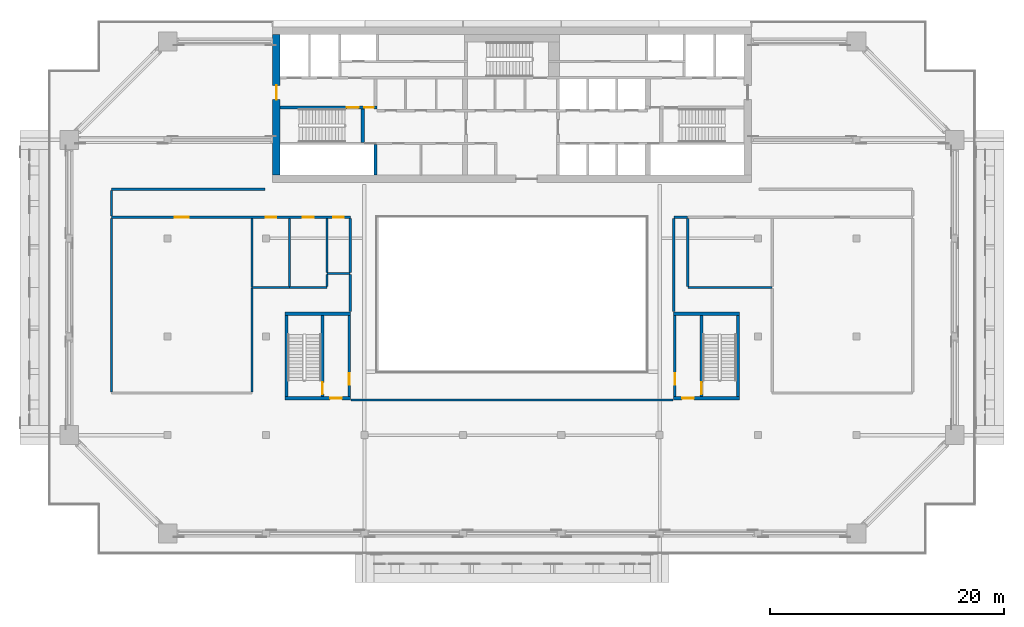
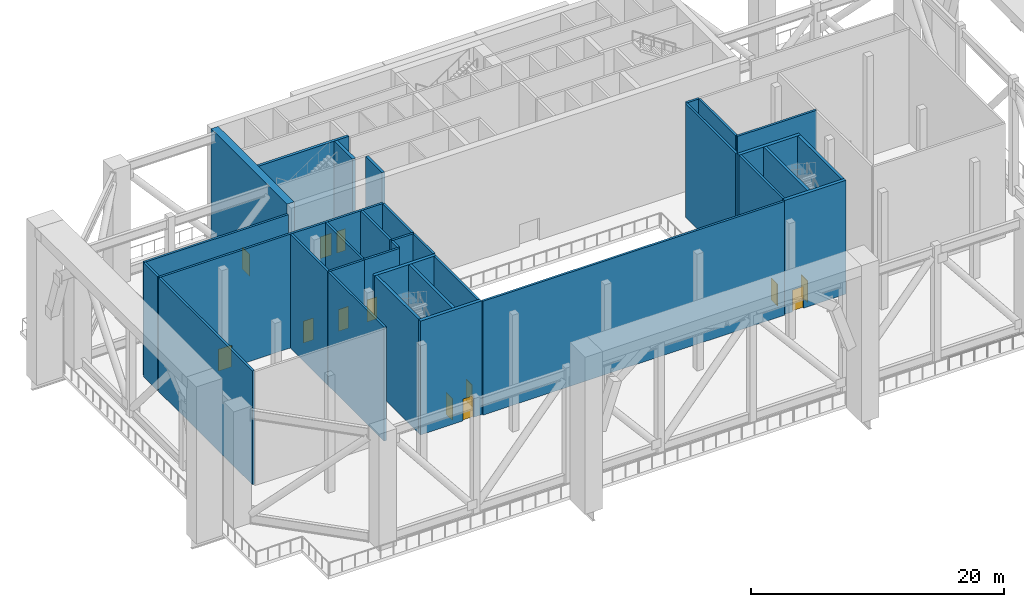
# One storey, part 4 of 19: 33 walls, 13 doors, 13 openings.
"""IFC4 building model written with IfcOpenShell, lengths in metres."""

import ifcopenshell
import ifcopenshell.guid

model = None  # the IFC model being written
_history = None  # IfcOwnerHistory: only IFC2X3 demands one
_inside = {}  # id of a spatial element -> (the spatial element, [elements in it])
_under = {}  # id of a project, library or spatial element -> (it, [spatial elements below it])
_declared = {}  # id of a project -> (the project, [libraries it declares])
_typed = {}  # id of a type object -> (the type object, [elements of that type])
_made_of = {}  # id of a material, layer set ... -> (it, [elements and type objects made of it])


def new_model(schema):
    """Start an empty IFC model of exactly this schema.

    Asked for "IFC4X3", IfcOpenShell would pick the latest addendum, in which some entities
    have other attributes; the version numbers below select the first issue.
    IFC2X3 requires an IfcOwnerHistory on every rooted entity: one is made here for all.
    """
    global model, _history
    if schema == "IFC4X3":
        model = ifcopenshell.file(schema_version=(4, 3, 0, 0))
    else:
        model = ifcopenshell.file(schema=schema)
    _inside.clear()
    _under.clear()
    _declared.clear()
    _typed.clear()
    _made_of.clear()
    _history = None
    if model.schema == "IFC2X3":
        org = make("IfcOrganization", Name="unknown")
        user = make(
            "IfcPersonAndOrganization",
            ThePerson=make("IfcPerson", FamilyName="unknown"),
            TheOrganization=org,
        )
        app = make(
            "IfcApplication",
            ApplicationDeveloper=org,
            Version="unknown",
            ApplicationFullName="unknown",
            ApplicationIdentifier="unknown",
        )
        _history = make(
            "IfcOwnerHistory",
            OwningUser=user,
            OwningApplication=app,
            ChangeAction="ADDED",
            CreationDate=0,
        )
    return model


def make(cls, **values):
    """One entity of the class cls with the attributes given. An attribute that is None is left unset."""
    return model.create_entity(
        cls, **{name: value for name, value in values.items() if value is not None}
    )


def rooted(cls, **values):
    """An entity with a GlobalId (a new one), such as an element, a storey or a relation."""
    return make(cls, GlobalId=ifcopenshell.guid.new(), OwnerHistory=_history, **values)


def si_unit(unit_type, name, prefix=None):
    """IfcSIUnit, for example si_unit("LENGTHUNIT", "METRE", prefix="MILLI")."""
    return make("IfcSIUnit", UnitType=unit_type, Prefix=prefix, Name=name)


def assignment(units):
    """IfcUnitAssignment: the units of a project."""
    return None if units is None else make("IfcUnitAssignment", Units=units)


def point(xyz):
    """IfcCartesianPoint."""
    return None if xyz is None else make("IfcCartesianPoint", Coordinates=xyz)


def direction(xyz):
    """IfcDirection."""
    return None if xyz is None else make("IfcDirection", DirectionRatios=xyz)


def frame(location, z_axis=None, x_axis=None):
    """IfcAxis2Placement3D, a coordinate frame: its origin and axes. An axis left out is left unset."""
    return make(
        "IfcAxis2Placement3D",
        Location=point(location),
        Axis=direction(z_axis),
        RefDirection=direction(x_axis),
    )


def frame_2d(location, x_axis=None):
    """IfcAxis2Placement2D, a coordinate frame in the plane: its origin and x axis."""
    return make(
        "IfcAxis2Placement2D", Location=point(location), RefDirection=direction(x_axis)
    )


def origin():
    """The frame at (0, 0, 0) with its axes left unset."""
    return frame((0.0, 0.0, 0.0))


def place(relative_to, where):
    """IfcLocalPlacement: puts the frame where relative to a parent placement (None: the world)."""
    return make(
        "IfcLocalPlacement", PlacementRelTo=relative_to, RelativePlacement=where
    )


def context(
    kind, dimensions, precision=None, world=None, true_north=None, identifier=None
):
    """IfcGeometricRepresentationContext, for example the 3D "Model" context."""
    return make(
        "IfcGeometricRepresentationContext",
        ContextIdentifier=identifier,
        ContextType=kind,
        CoordinateSpaceDimension=dimensions,
        Precision=precision,
        WorldCoordinateSystem=world,
        TrueNorth=true_north,
    )


def subcontext(parent, identifier, kind, view, scale=None):
    """IfcGeometricRepresentationSubContext, for example "Body" below "Model"."""
    return make(
        "IfcGeometricRepresentationSubContext",
        ContextIdentifier=identifier,
        ContextType=kind,
        ParentContext=parent,
        TargetScale=scale,
        TargetView=view,
    )


def project(units=None, contexts=None):
    """IfcProject with its units and contexts."""
    return rooted(
        "IfcProject",
        Name="project",
        RepresentationContexts=contexts,
        UnitsInContext=assignment(units),
    )


def spatial(cls, under=None, at=None, **own):
    """A site, building, storey or space (cls), placed at a placement, below another one or the project."""
    s = rooted(cls, ObjectPlacement=at, **own)
    if under is not None:
        _under.setdefault(under.id(), (under, []))[1].append(s)
    return s


def profile(cls, at=None, kind="AREA", **sizes):
    """A parametric profile (cls). Its sizes go by their IFC names, for example OverallWidth=200.0."""
    return make(cls, ProfileType=kind, Position=at, **sizes)


def rectangle(**sizes):
    """IfcRectangleProfileDef."""
    return profile("IfcRectangleProfileDef", **sizes)


def extrude(swept, where, along, depth):
    """IfcExtrudedAreaSolid: the profile swept, set in the frame where, extruded along a direction by depth."""
    return make(
        "IfcExtrudedAreaSolid",
        SweptArea=swept,
        Position=where,
        ExtrudedDirection=direction(along),
        Depth=depth,
    )


def shape(context_of_items, identifier, shape_type, items):
    """IfcShapeRepresentation: the items that make up one representation, for example the "Body"."""
    return make(
        "IfcShapeRepresentation",
        ContextOfItems=context_of_items,
        RepresentationIdentifier=identifier,
        RepresentationType=shape_type,
        Items=items,
    )


def material(Name=None, Category=None):
    """IfcMaterial."""
    return make("IfcMaterial", Name=Name, Category=Category)


def layer(
    of_material, thickness, ventilated=None, Name=None, Category=None, Priority=None
):
    """IfcMaterialLayer: one layer of a wall or slab, of a material (None: an air gap)."""
    return make(
        "IfcMaterialLayer",
        Material=of_material,
        LayerThickness=thickness,
        IsVentilated=ventilated,
        Name=Name,
        Category=Category,
        Priority=Priority,
    )


def layer_set(layers, Name=None):
    """IfcMaterialLayerSet."""
    return make("IfcMaterialLayerSet", MaterialLayers=layers, LayerSetName=Name)


def made_of(thing, what):
    """Note that an element or type object is made of a material, layer set ...; save() writes the relation."""
    if what is not None:
        _made_of.setdefault(what.id(), (what, []))[1].append(thing)
    return thing


def type_object(cls, material=None, **own):
    """A type object (cls), such as IfcWallType, which elements share."""
    return made_of(rooted(cls, **own), material)


def element(
    cls,
    number,
    at=None,
    inside=None,
    cuts=None,
    type_object=None,
    material=None,
    context=None,
    identifier="Body",
    shape_type=None,
    held_by="IfcProductDefinitionShape",
    body=None,
    shapes=None,
    **own,
):
    """One element of the class cls, such as IfcWall. Its Tag is "e" and its number.

    at: its placement. inside: the storey or other place that contains it. cuts: it is an
    opening in that element (IfcRelVoidsElement). A single representation is given by context,
    identifier, shape_type and body (its items); several are given by shapes. held_by: the class
    of the entity that holds the representations. save() writes the other relations.
    """
    e = rooted(cls, Tag="e%d" % number, ObjectPlacement=at, **own)
    if body is not None:
        shapes = [shape(context, identifier, shape_type, body)]
    if shapes is not None:
        e.Representation = make(held_by, Representations=shapes)
    if inside is not None:
        _inside.setdefault(inside.id(), (inside, []))[1].append(e)
    if cuts is not None:
        rooted(
            "IfcRelVoidsElement", RelatingBuildingElement=cuts, RelatedOpeningElement=e
        )
    if type_object is not None:
        _typed.setdefault(type_object.id(), (type_object, []))[1].append(e)
    return made_of(e, material)


def fill(opening, filler):
    """IfcRelFillsElement: the door or window that sits in an opening."""
    return rooted(
        "IfcRelFillsElement",
        RelatingOpeningElement=opening,
        RelatedBuildingElement=filler,
    )


def aggregate(whole, parts):
    """IfcRelAggregates: a whole, such as a stair, and the parts it consists of."""
    return rooted("IfcRelAggregates", RelatingObject=whole, RelatedObjects=parts)


def save(model, path):
    """Write the relations noted so far, then the file.

    IfcRelAggregates (storeys below a building ...), IfcRelContainedInSpatialStructure (elements
    in a storey), IfcRelDefinesByType, IfcRelAssociatesMaterial and IfcRelDeclares: one each for
    every whole, place, type object, material and project.
    """
    for whole, parts in _under.values():
        aggregate(whole, parts)
    for where, things in _inside.values():
        rooted(
            "IfcRelContainedInSpatialStructure",
            RelatedElements=things,
            RelatingStructure=where,
        )
    for kind, things in _typed.values():
        rooted("IfcRelDefinesByType", RelatedObjects=things, RelatingType=kind)
    for what, things in _made_of.values():
        rooted("IfcRelAssociatesMaterial", RelatedObjects=things, RelatingMaterial=what)
    for by, libraries in _declared.values():
        rooted("IfcRelDeclares", RelatingContext=by, RelatedDefinitions=libraries)
    model.write(path)


model = new_model("IFC4")

# Units and contexts
model_context = context("Model", 3, precision=1e-05, world=origin(), true_north=direction((0.0, 1.0)))
body_context = subcontext(model_context, "Body", "Model", "MODEL_VIEW")
ifc_project = project(units=[si_unit("LENGTHUNIT", "METRE"), si_unit("AREAUNIT", "SQUARE_METRE"), si_unit("VOLUMEUNIT", "CUBIC_METRE"), si_unit("PLANEANGLEUNIT", "RADIAN"), si_unit("MASSUNIT", "GRAM", prefix="KILO")], contexts=[model_context])

# Site, building, storey
site_placement = place(None, origin())
site = spatial("IfcSite", under=ifc_project, at=site_placement, CompositionType="ELEMENT")
building_placement = place(site_placement, origin())
building = spatial("IfcBuilding", under=site, at=building_placement, Name="Saffron Gate Tower", CompositionType="ELEMENT")
storey_placement = place(building_placement, frame((0.0, 0.0, 194.25)))
storey = spatial("IfcBuildingStorey", under=building, at=storey_placement, Name="L48", CompositionType="ELEMENT", Elevation=194.25)

# Wall, opening, door
ifc_material_1 = material(Name="Gypsum board partition on steel studs", Category="steel")
ifc_layer_1 = layer(ifc_material_1, 0.199951171875)
ifc_layer_set_1 = layer_set([ifc_layer_1], Name="CW10 Core partition 200")
wall_type_1 = type_object("IfcWallType", Name="CW10 Core partition 200", PredefinedType="PARTITIONING", material=ifc_layer_set_1)
wall_1_placement = place(storey_placement, frame((73.699951171875, 43.5, 0.0), z_axis=(0.0, 0.0, 1.0), x_axis=(0.0, 1.0, 0.0)))
wall_1 = element("IfcWall", 1, at=wall_1_placement, inside=storey, type_object=wall_type_1, Name="Wall CW10-L48-D-4", PredefinedType="PARTITIONING", context=body_context, shape_type="SweptSolid", body=[
    extrude(rectangle(XDim=6.89990234375, YDim=0.199951171875, at=frame_2d((3.449951171875, 0.0))), origin(), (0.0, 0.0, 1.0), 10.969970703125),
])
opening_1_placement = place(wall_1_placement, frame((1.0, 0.0, 0.0)))
opening_1 = element("IfcOpeningElement", 2, at=opening_1_placement, cuts=wall_1, Name="Opening CR-19", PredefinedType="OPENING", context=body_context, shape_type="SweptSolid", body=[
    extrude(rectangle(XDim=1.0, YDim=2.10009765625, at=frame_2d((0.5, 1.050048828125))), frame((0.0, 0.10986328125, 0.0), z_axis=(0.0, -1.0, 0.0), x_axis=(1.0, 0.0, 0.0)), (0.0, 0.0, 1.0), 0.219970703125),
])
ifc_material_2 = material(Name="Steel fire door set", Category="steel")
door_type_1 = type_object("IfcDoorType", Name="CD4 Lobby door 1000x2100 EI 120", OperationType="NOTDEFINED", PredefinedType="DOOR", material=ifc_material_2)
door_1_placement = place(opening_1_placement, origin())
door_1 = element("IfcDoor", 3, at=door_1_placement, inside=storey, type_object=door_type_1, Name="DOOR CR-19", OperationType="SINGLE_SWING_RIGHT", OverallHeight=2.10009765625, OverallWidth=1.0, PredefinedType="DOOR", context=body_context, shape_type="SweptSolid", body=[
    extrude(rectangle(XDim=1.0, YDim=2.10009765625, at=frame_2d((0.5, 1.050048828125))), frame((0.0, 0.02490234375, 0.0), z_axis=(0.0, -1.0, 0.0), x_axis=(1.0, 0.0, 0.0)), (0.0, 0.0, 1.0), 0.050048828125),
])
fill(opening_1, door_1)

wall_2_placement = place(storey_placement, frame((101.5, 43.5, 0.0), z_axis=(0.0, 0.0, 1.0), x_axis=(0.0, 1.0, 0.0)))
wall_2 = element("IfcWall", 4, at=wall_2_placement, inside=storey, type_object=wall_type_1, Name="Wall CW10-L48-E-2", PredefinedType="PARTITIONING", context=body_context, shape_type="SweptSolid", body=[
    extrude(rectangle(XDim=6.89990234375, YDim=0.199951171875, at=frame_2d((3.449951171875, 0.0))), origin(), (0.0, 0.0, 1.0), 10.969970703125),
])
opening_2_placement = place(wall_2_placement, frame((1.0, 0.0, 0.0)))
opening_2 = element("IfcOpeningElement", 5, at=opening_2_placement, cuts=wall_2, Name="Opening CR-22", PredefinedType="OPENING", context=body_context, shape_type="SweptSolid", body=[
    extrude(rectangle(XDim=1.0, YDim=2.10009765625, at=frame_2d((0.5, 1.050048828125))), frame((0.0, 0.10986328125, 0.0), z_axis=(0.0, -1.0, 0.0), x_axis=(1.0, 0.0, 0.0)), (0.0, 0.0, 1.0), 0.219970703125),
])
door_2_placement = place(opening_2_placement, origin())
door_2 = element("IfcDoor", 6, at=door_2_placement, inside=storey, type_object=door_type_1, Name="DOOR CR-22", OperationType="SINGLE_SWING_LEFT", OverallHeight=2.10009765625, OverallWidth=1.0, PredefinedType="DOOR", context=body_context, shape_type="SweptSolid", body=[
    extrude(rectangle(XDim=1.0, YDim=2.10009765625, at=frame_2d((0.5, 1.050048828125))), frame((0.0, 0.02490234375, 0.0), z_axis=(0.0, -1.0, 0.0), x_axis=(1.0, 0.0, 0.0)), (0.0, 0.0, 1.0), 0.050048828125),
])
fill(opening_2, door_2)

# Wall
ifc_material_3 = material(Name="Concrete C60", Category="concrete")
ifc_layer_2 = layer(ifc_material_3, 0.25)
ifc_layer_set_2 = layer_set([ifc_layer_2], Name="CW14 RC core wall 250 C60")
wall_type_2 = type_object("IfcWallType", Name="CW14 RC core wall 250 C60", PredefinedType="SOLIDWALL", material=ifc_layer_set_2)
wall_3_placement = place(storey_placement, frame((75.925048828125, 62.39990234375, 0.0), z_axis=(0.0, 0.0, 1.0), x_axis=(0.0, 1.0, 0.0)))
element("IfcWall", 7, at=wall_3_placement, inside=storey, type_object=wall_type_2, Name="Wall CW14-L48-5", PredefinedType="SOLIDWALL", context=body_context, shape_type="SweptSolid", body=[
    extrude(rectangle(XDim=2.60009765625, YDim=0.25, at=frame_2d((1.300048828125, 0.0))), origin(), (0.0, 0.0, 1.0), 10.969970703125),
])

# Wall, openings, doors
wall_4_placement = place(storey_placement, frame((67.800048828125, 68.175048828125, 0.0), z_axis=(0.0, 0.0, 1.0), x_axis=(1.0, 0.0, 0.0)))
wall_4 = element("IfcWall", 8, at=wall_4_placement, inside=storey, type_object=wall_type_2, Name="Wall CW14-L48-29", PredefinedType="SOLIDWALL", context=body_context, shape_type="SweptSolid", body=[
    extrude(rectangle(XDim=8.25, YDim=0.25, at=frame_2d((4.125, 0.0))), origin(), (0.0, 0.0, 1.0), 10.969970703125),
])
opening_3_placement = place(wall_4_placement, frame((5.699951171875, 0.0, 0.0)))
opening_3 = element("IfcOpeningElement", 9, at=opening_3_placement, cuts=wall_4, Name="Opening CR-15", PredefinedType="OPENING", context=body_context, shape_type="SweptSolid", body=[
    extrude(rectangle(XDim=1.0, YDim=2.10009765625, at=frame_2d((0.5, 1.050048828125))), frame((0.0, 0.135009765625, 0.0), z_axis=(0.0, -1.0, 0.0), x_axis=(1.0, 0.0, 0.0)), (0.0, 0.0, 1.0), 0.27001953125),
])
opening_4_placement = place(wall_4_placement, frame((7.199951171875, 0.0, 0.0)))
opening_4 = element("IfcOpeningElement", 10, at=opening_4_placement, cuts=wall_4, Name="Opening CR-06", PredefinedType="OPENING", context=body_context, shape_type="SweptSolid", body=[
    extrude(rectangle(XDim=0.800048828125, YDim=2.10009765625, at=frame_2d((0.39990234375, 1.050048828125))), frame((0.0, 0.135009765625, 0.0), z_axis=(0.0, -1.0, 0.0), x_axis=(1.0, 0.0, 0.0)), (0.0, 0.0, 1.0), 0.27001953125),
])
door_type_2 = type_object("IfcDoorType", Name="CD5 Stair door 1000x2100 EI 120", OperationType="NOTDEFINED", PredefinedType="DOOR", material=ifc_material_2)
door_3_placement = place(opening_3_placement, origin())
door_3 = element("IfcDoor", 11, at=door_3_placement, inside=storey, type_object=door_type_2, Name="DOOR CR-15", OperationType="SINGLE_SWING_RIGHT", OverallHeight=2.10009765625, OverallWidth=1.0, PredefinedType="DOOR", context=body_context, shape_type="SweptSolid", body=[
    extrude(rectangle(XDim=1.0, YDim=2.10009765625, at=frame_2d((0.5, 1.050048828125))), frame((0.0, 0.02490234375, 0.0), z_axis=(0.0, -1.0, 0.0), x_axis=(1.0, 0.0, 0.0)), (0.0, 0.0, 1.0), 0.050048828125),
])
fill(opening_3, door_3)
door_type_3 = type_object("IfcDoorType", Name="CD6 Lobby door 800x2100 EI 120", OperationType="NOTDEFINED", PredefinedType="DOOR", material=ifc_material_2)
door_4_placement = place(opening_4_placement, origin())
door_4 = element("IfcDoor", 12, at=door_4_placement, inside=storey, type_object=door_type_3, Name="DOOR CR-06", OperationType="SINGLE_SWING_LEFT", OverallHeight=2.10009765625, OverallWidth=0.800048828125, PredefinedType="DOOR", context=body_context, shape_type="SweptSolid", body=[
    extrude(rectangle(XDim=0.800048828125, YDim=2.10009765625, at=frame_2d((0.39990234375, 1.050048828125))), frame((0.0, 0.02490234375, 0.0), z_axis=(0.0, -1.0, 0.0), x_axis=(1.0, 0.0, 0.0)), (0.0, 0.0, 1.0), 0.050048828125),
])
fill(opening_4, door_4)

# Wall
wall_5_placement = place(storey_placement, frame((68.324951171875, 43.5, 0.0), z_axis=(0.0, 0.0, 1.0), x_axis=(0.0, 1.0, 0.0)))
element("IfcWall", 13, at=wall_5_placement, inside=storey, type_object=wall_type_2, Name="Wall CW14-L48-D-2", PredefinedType="SOLIDWALL", context=body_context, shape_type="SweptSolid", body=[
    extrude(rectangle(XDim=6.89990234375, YDim=0.25, at=frame_2d((3.449951171875, 0.0))), origin(), (0.0, 0.0, 1.0), 10.969970703125),
])

# Wall, opening, door
wall_6_placement = place(storey_placement, frame((71.425048828125, 43.5, 0.0), z_axis=(0.0, 0.0, 1.0), x_axis=(0.0, 1.0, 0.0)))
wall_6 = element("IfcWall", 14, at=wall_6_placement, inside=storey, type_object=wall_type_2, Name="Wall CW14-L48-D-3", PredefinedType="SOLIDWALL", context=body_context, shape_type="SweptSolid", body=[
    extrude(rectangle(XDim=6.89990234375, YDim=0.25, at=frame_2d((3.449951171875, 0.0))), origin(), (0.0, 0.0, 1.0), 10.969970703125),
])
opening_5_placement = place(wall_6_placement, frame((0.199951171875, 0.0, 0.0)))
opening_5 = element("IfcOpeningElement", 15, at=opening_5_placement, cuts=wall_6, Name="Opening CR-20", PredefinedType="OPENING", context=body_context, shape_type="SweptSolid", body=[
    extrude(rectangle(XDim=1.0, YDim=2.10009765625, at=frame_2d((0.5, 1.050048828125))), frame((0.0, 0.135009765625, 0.0), z_axis=(0.0, -1.0, 0.0), x_axis=(1.0, 0.0, 0.0)), (0.0, 0.0, 1.0), 0.27001953125),
])
door_5_placement = place(opening_5_placement, origin())
door_5 = element("IfcDoor", 16, at=door_5_placement, inside=storey, type_object=door_type_2, Name="DOOR CR-20", OperationType="SINGLE_SWING_LEFT", OverallHeight=2.10009765625, OverallWidth=1.0, PredefinedType="DOOR", context=body_context, shape_type="SweptSolid", body=[
    extrude(rectangle(XDim=1.0, YDim=2.10009765625, at=frame_2d((0.5, 1.050048828125))), frame((0.0, 0.02490234375, 0.0), z_axis=(0.0, -1.0, 0.0), x_axis=(1.0, 0.0, 0.0)), (0.0, 0.0, 1.0), 0.050048828125),
])
fill(opening_5, door_5)

wall_7_placement = place(storey_placement, frame((103.77490234375, 43.5, 0.0), z_axis=(0.0, 0.0, 1.0), x_axis=(0.0, 1.0, 0.0)))
wall_7 = element("IfcWall", 17, at=wall_7_placement, inside=storey, type_object=wall_type_2, Name="Wall CW14-L48-E-3", PredefinedType="SOLIDWALL", context=body_context, shape_type="SweptSolid", body=[
    extrude(rectangle(XDim=6.89990234375, YDim=0.25, at=frame_2d((3.449951171875, 0.0))), origin(), (0.0, 0.0, 1.0), 10.969970703125),
])
opening_6_placement = place(wall_7_placement, frame((0.199951171875, 0.0, 0.0)))
opening_6 = element("IfcOpeningElement", 18, at=opening_6_placement, cuts=wall_7, Name="Opening CR-23", PredefinedType="OPENING", context=body_context, shape_type="SweptSolid", body=[
    extrude(rectangle(XDim=1.0, YDim=2.10009765625, at=frame_2d((0.5, 1.050048828125))), frame((0.0, 0.135009765625, 0.0), z_axis=(0.0, -1.0, 0.0), x_axis=(1.0, 0.0, 0.0)), (0.0, 0.0, 1.0), 0.27001953125),
])
door_6_placement = place(opening_6_placement, origin())
door_6 = element("IfcDoor", 19, at=door_6_placement, inside=storey, type_object=door_type_2, Name="DOOR CR-23", OperationType="SINGLE_SWING_RIGHT", OverallHeight=2.10009765625, OverallWidth=1.0, PredefinedType="DOOR", context=body_context, shape_type="SweptSolid", body=[
    extrude(rectangle(XDim=1.0, YDim=2.10009765625, at=frame_2d((0.5, 1.050048828125))), frame((0.0, 0.02490234375, 0.0), z_axis=(0.0, -1.0, 0.0), x_axis=(1.0, 0.0, 0.0)), (0.0, 0.0, 1.0), 0.050048828125),
])
fill(opening_6, door_6)

# Walls
wall_8_placement = place(storey_placement, frame((106.875, 43.5, 0.0), z_axis=(0.0, 0.0, 1.0), x_axis=(0.0, 1.0, 0.0)))
element("IfcWall", 20, at=wall_8_placement, inside=storey, type_object=wall_type_2, Name="Wall CW14-L48-E-4", PredefinedType="SOLIDWALL", context=body_context, shape_type="SweptSolid", body=[
    extrude(rectangle(XDim=6.89990234375, YDim=0.25, at=frame_2d((3.449951171875, 0.0))), origin(), (0.0, 0.0, 1.0), 10.969970703125),
])
ifc_layer_3 = layer(ifc_material_3, 0.300048828125)
ifc_layer_set_3 = layer_set([ifc_layer_3], Name="CW17 RC core wall 300 C60")
wall_type_3 = type_object("IfcWallType", Name="CW17 RC core wall 300 C60", PredefinedType="SOLIDWALL", material=ifc_layer_set_3)
wall_9_placement = place(storey_placement, frame((74.85009765625, 65.199951171875, 0.0), z_axis=(0.0, 0.0, 1.0), x_axis=(0.0, 1.0, 0.0)))
element("IfcWall", 21, at=wall_9_placement, inside=storey, type_object=wall_type_3, Name="Wall CW17-L48-15", PredefinedType="SOLIDWALL", context=body_context, shape_type="SweptSolid", body=[
    extrude(rectangle(XDim=2.85009765625, YDim=0.300048828125, at=frame_2d((1.425048828125, 0.0))), origin(), (0.0, 0.0, 1.0), 10.969970703125),
])

# Wall, opening, door
wall_10_placement = place(storey_placement, frame((68.199951171875, 43.35009765625, 0.0), z_axis=(0.0, 0.0, 1.0), x_axis=(1.0, 0.0, 0.0)))
wall_10 = element("IfcWall", 22, at=wall_10_placement, inside=storey, type_object=wall_type_3, Name="Wall CW17-L48-D-1", PredefinedType="SOLIDWALL", context=body_context, shape_type="SweptSolid", body=[
    extrude(rectangle(XDim=5.60009765625, YDim=0.300048828125, at=frame_2d((2.800048828125, 0.0))), origin(), (0.0, 0.0, 1.0), 10.969970703125),
])
opening_7_placement = place(wall_10_placement, frame((3.875, 0.0, 0.0)))
opening_7 = element("IfcOpeningElement", 23, at=opening_7_placement, cuts=wall_10, Name="Opening CR-18", PredefinedType="OPENING", context=body_context, shape_type="SweptSolid", body=[
    extrude(rectangle(XDim=1.0, YDim=2.10009765625, at=frame_2d((0.5, 1.050048828125))), frame((0.0, 0.16015625, 0.0), z_axis=(0.0, -1.0, 0.0), x_axis=(1.0, 0.0, 0.0)), (0.0, 0.0, 1.0), 0.320068359375),
])
door_7_placement = place(opening_7_placement, origin())
door_7 = element("IfcDoor", 24, at=door_7_placement, inside=storey, type_object=door_type_1, Name="DOOR CR-18", OperationType="SINGLE_SWING_RIGHT", OverallHeight=2.10009765625, OverallWidth=1.0, PredefinedType="DOOR", context=body_context, shape_type="SweptSolid", body=[
    extrude(rectangle(XDim=1.0, YDim=2.10009765625, at=frame_2d((0.5, 1.050048828125))), frame((0.0, 0.02490234375, 0.0), z_axis=(0.0, -1.0, 0.0), x_axis=(1.0, 0.0, 0.0)), (0.0, 0.0, 1.0), 0.050048828125),
])
fill(opening_7, door_7)

# Wall
wall_11_placement = place(storey_placement, frame((68.199951171875, 50.550048828125, 0.0), z_axis=(0.0, 0.0, 1.0), x_axis=(1.0, 0.0, 0.0)))
element("IfcWall", 25, at=wall_11_placement, inside=storey, type_object=wall_type_3, Name="Wall CW17-L48-D-5", PredefinedType="SOLIDWALL", context=body_context, shape_type="SweptSolid", body=[
    extrude(rectangle(XDim=5.60009765625, YDim=0.300048828125, at=frame_2d((2.800048828125, 0.0))), origin(), (0.0, 0.0, 1.0), 10.969970703125),
])

# Wall, opening, door
wall_12_placement = place(storey_placement, frame((101.39990234375, 43.35009765625, 0.0), z_axis=(0.0, 0.0, 1.0), x_axis=(1.0, 0.0, 0.0)))
wall_12 = element("IfcWall", 26, at=wall_12_placement, inside=storey, type_object=wall_type_3, Name="Wall CW17-L48-E-1", PredefinedType="SOLIDWALL", context=body_context, shape_type="SweptSolid", body=[
    extrude(rectangle(XDim=5.60009765625, YDim=0.300048828125, at=frame_2d((2.800048828125, 0.0))), origin(), (0.0, 0.0, 1.0), 10.969970703125),
])
opening_8_placement = place(wall_12_placement, frame((0.72509765625, 0.0, 0.0)))
opening_8 = element("IfcOpeningElement", 27, at=opening_8_placement, cuts=wall_12, Name="Opening CR-21", PredefinedType="OPENING", context=body_context, shape_type="SweptSolid", body=[
    extrude(rectangle(XDim=1.0, YDim=2.10009765625, at=frame_2d((0.5, 1.050048828125))), frame((0.0, 0.16015625, 0.0), z_axis=(0.0, -1.0, 0.0), x_axis=(1.0, 0.0, 0.0)), (0.0, 0.0, 1.0), 0.320068359375),
])
door_8_placement = place(opening_8_placement, origin())
door_8 = element("IfcDoor", 28, at=door_8_placement, inside=storey, type_object=door_type_1, Name="DOOR CR-21", OperationType="SINGLE_SWING_RIGHT", OverallHeight=2.10009765625, OverallWidth=1.0, PredefinedType="DOOR", context=body_context, shape_type="SweptSolid", body=[
    extrude(rectangle(XDim=1.0, YDim=2.10009765625, at=frame_2d((0.5, 1.050048828125))), frame((0.0, 0.02490234375, 0.0), z_axis=(0.0, -1.0, 0.0), x_axis=(1.0, 0.0, 0.0)), (0.0, 0.0, 1.0), 0.050048828125),
])
fill(opening_8, door_8)

# Wall
wall_13_placement = place(storey_placement, frame((101.39990234375, 50.550048828125, 0.0), z_axis=(0.0, 0.0, 1.0), x_axis=(1.0, 0.0, 0.0)))
element("IfcWall", 29, at=wall_13_placement, inside=storey, type_object=wall_type_3, Name="Wall CW17-L48-E-5", PredefinedType="SOLIDWALL", context=body_context, shape_type="SweptSolid", body=[
    extrude(rectangle(XDim=5.60009765625, YDim=0.300048828125, at=frame_2d((2.800048828125, 0.0))), origin(), (0.0, 0.0, 1.0), 10.969970703125),
])

# Wall, opening, door
ifc_layer_4 = layer(ifc_material_3, 0.64990234375)
ifc_layer_set_4 = layer_set([ifc_layer_4], Name="CW20 RC core wall 650 C60")
wall_type_4 = type_object("IfcWallType", Name="CW20 RC core wall 650 C60", PredefinedType="SOLIDWALL", material=ifc_layer_set_4)
wall_14_placement = place(storey_placement, frame((67.47509765625, 62.39990234375, 0.0), z_axis=(0.0, 0.0, 1.0), x_axis=(0.0, 1.0, 0.0)))
wall_14 = element("IfcWall", 30, at=wall_14_placement, inside=storey, type_object=wall_type_4, Name="Wall CW20-L48-3", PredefinedType="SOLIDWALL", context=body_context, shape_type="SweptSolid", body=[
    extrude(rectangle(XDim=12.0, YDim=0.64990234375, at=frame_2d((6.0, 0.0))), origin(), (0.0, 0.0, 1.0), 10.969970703125),
])
opening_9_placement = place(wall_14_placement, frame((6.449951171875, 0.0, 0.0)))
opening_9 = element("IfcOpeningElement", 31, at=opening_9_placement, cuts=wall_14, Name="Opening CR-10", PredefinedType="OPENING", context=body_context, shape_type="SweptSolid", body=[
    extrude(rectangle(XDim=1.199951171875, YDim=2.10009765625, at=frame_2d((0.60009765625, 1.050048828125))), frame((0.0, 0.3349609375, 0.0), z_axis=(0.0, -1.0, 0.0), x_axis=(1.0, 0.0, 0.0)), (0.0, 0.0, 1.0), 0.669921875),
])
door_type_4 = type_object("IfcDoorType", Name="CD7 Core entrance door 1200x2100 EI 120", OperationType="NOTDEFINED", PredefinedType="DOOR", material=ifc_material_2)
door_9_placement = place(opening_9_placement, origin())
door_9 = element("IfcDoor", 32, at=door_9_placement, inside=storey, type_object=door_type_4, Name="DOOR CR-10", OperationType="SINGLE_SWING_LEFT", OverallHeight=2.10009765625, OverallWidth=1.199951171875, PredefinedType="DOOR", context=body_context, shape_type="SweptSolid", body=[
    extrude(rectangle(XDim=1.199951171875, YDim=2.10009765625, at=frame_2d((0.60009765625, 1.050048828125))), frame((0.0, 0.02490234375, 0.0), z_axis=(0.0, -1.0, 0.0), x_axis=(1.0, 0.0, 0.0)), (0.0, 0.0, 1.0), 0.050048828125),
])
fill(opening_9, door_9)

# Walls
ifc_material_4 = material(Name="Clay brick masonry, rendered", Category="masonry")
ifc_layer_5 = layer(ifc_material_4, 0.199951171875)
ifc_layer_set_5 = layer_set([ifc_layer_5], Name="PW2 Demising wall 200")
wall_type_5 = type_object("IfcWallType", Name="PW2 Demising wall 200", PredefinedType="PARTITIONING", material=ifc_layer_set_5)
wall_15_placement = place(storey_placement, frame((68.60009765625, 58.699951171875, 0.0), z_axis=(0.0, 0.0, 1.0), x_axis=(0.0, -1.0, 0.0)))
element("IfcWall", 33, at=wall_15_placement, inside=storey, type_object=wall_type_5, Name="Wall X2-17", PredefinedType="PARTITIONING", context=body_context, shape_type="SweptSolid", body=[
    extrude(rectangle(XDim=5.800048828125, YDim=0.199951171875, at=frame_2d((2.89990234375, 0.0))), origin(), (0.0, 0.0, 1.0), 10.969970703125),
])
wall_16_placement = place(storey_placement, frame((71.800048828125, 58.699951171875, 0.0), z_axis=(0.0, 0.0, 1.0), x_axis=(0.0, -1.0, 0.0)))
element("IfcWall", 34, at=wall_16_placement, inside=storey, type_object=wall_type_5, Name="Wall X2-18", PredefinedType="PARTITIONING", context=body_context, shape_type="SweptSolid", body=[
    extrude(rectangle(XDim=4.599853515625, YDim=0.199951171875, at=frame_2d((2.2998046875, 0.0))), origin(), (0.0, 0.0, 1.0), 10.969970703125),
])

# Wall, openings, doors
ifc_layer_6 = layer(ifc_material_4, 0.199951171875)
ifc_layer_set_6 = layer_set([ifc_layer_6], Name="PW3 Corridor wall 200")
wall_type_6 = type_object("IfcWallType", Name="PW3 Corridor wall 200", PredefinedType="PARTITIONING", material=ifc_layer_set_6)
wall_17_placement = place(storey_placement, frame((73.800048828125, 58.800048828125, 0.0), z_axis=(0.0, 0.0, 1.0), x_axis=(-1.0, 0.0, 0.0)))
wall_17 = element("IfcWall", 35, at=wall_17_placement, inside=storey, type_object=wall_type_6, Name="Wall X2-8", PredefinedType="PARTITIONING", context=body_context, shape_type="SweptSolid", body=[
    extrude(rectangle(XDim=20.400146484375, YDim=0.199951171875, at=frame_2d((10.2001953125, 0.0))), origin(), (0.0, 0.0, 1.0), 10.969970703125),
])
opening_10_placement = place(wall_17_placement, frame((0.550048828125, 0.0, 0.0)))
opening_10 = element("IfcOpeningElement", 36, at=opening_10_placement, cuts=wall_17, Name="Opening X2-2", PredefinedType="OPENING", context=body_context, shape_type="SweptSolid", body=[
    extrude(rectangle(XDim=0.89990234375, YDim=2.10009765625, at=frame_2d((0.449951171875, 1.050048828125))), frame((0.0, 0.10986328125, 0.0), z_axis=(0.0, -1.0, 0.0), x_axis=(1.0, 0.0, 0.0)), (0.0, 0.0, 1.0), 0.219970703125),
])
opening_11_placement = place(wall_17_placement, frame((3.14990234375, 0.0, 0.0)))
opening_11 = element("IfcOpeningElement", 37, at=opening_11_placement, cuts=wall_17, Name="Opening X2-3", PredefinedType="OPENING", context=body_context, shape_type="SweptSolid", body=[
    extrude(rectangle(XDim=0.89990234375, YDim=2.10009765625, at=frame_2d((0.449951171875, 1.050048828125))), frame((0.0, 0.10986328125, 0.0), z_axis=(0.0, -1.0, 0.0), x_axis=(1.0, 0.0, 0.0)), (0.0, 0.0, 1.0), 0.219970703125),
])
opening_12_placement = place(wall_17_placement, frame((6.35009765625, 0.0, 0.0)))
opening_12 = element("IfcOpeningElement", 38, at=opening_12_placement, cuts=wall_17, Name="Opening X2-4", PredefinedType="OPENING", context=body_context, shape_type="SweptSolid", body=[
    extrude(rectangle(XDim=0.89990234375, YDim=2.10009765625, at=frame_2d((0.449951171875, 1.050048828125))), frame((0.0, 0.10986328125, 0.0), z_axis=(0.0, -1.0, 0.0), x_axis=(1.0, 0.0, 0.0)), (0.0, 0.0, 1.0), 0.219970703125),
])
opening_13_placement = place(wall_17_placement, frame((13.800048828125, 0.0, 0.0)))
opening_13 = element("IfcOpeningElement", 39, at=opening_13_placement, cuts=wall_17, Name="Opening X2-6", PredefinedType="OPENING", context=body_context, shape_type="SweptSolid", body=[
    extrude(rectangle(XDim=1.199951171875, YDim=2.10009765625, at=frame_2d((0.60009765625, 1.050048828125))), frame((0.0, 0.10986328125, 0.0), z_axis=(0.0, -1.0, 0.0), x_axis=(1.0, 0.0, 0.0)), (0.0, 0.0, 1.0), 0.219970703125),
])
ifc_material_5 = material(Name="Timber door set", Category="wood")
door_type_5 = type_object("IfcDoorType", Name="HD1 Hall door 1200x2100", OperationType="NOTDEFINED", PredefinedType="DOOR", material=ifc_material_5)
door_10_placement = place(opening_13_placement, origin())
door_10 = element("IfcDoor", 40, at=door_10_placement, inside=storey, type_object=door_type_5, Name="Door X2-6", OperationType="SINGLE_SWING_RIGHT", OverallHeight=2.10009765625, OverallWidth=1.199951171875, PredefinedType="DOOR", context=body_context, shape_type="SweptSolid", body=[
    extrude(rectangle(XDim=1.199951171875, YDim=2.10009765625, at=frame_2d((0.60009765625, 1.050048828125))), frame((0.0, 0.02490234375, 0.0), z_axis=(0.0, -1.0, 0.0), x_axis=(1.0, 0.0, 0.0)), (0.0, 0.0, 1.0), 0.050048828125),
])
fill(opening_13, door_10)
door_type_6 = type_object("IfcDoorType", Name="RD1 Room door 900x2100", OperationType="NOTDEFINED", PredefinedType="DOOR", material=ifc_material_5)
door_11_placement = place(opening_10_placement, origin())
door_11 = element("IfcDoor", 41, at=door_11_placement, inside=storey, type_object=door_type_6, Name="Door X2-2", OperationType="SINGLE_SWING_RIGHT", OverallHeight=2.10009765625, OverallWidth=0.89990234375, PredefinedType="DOOR", context=body_context, shape_type="SweptSolid", body=[
    extrude(rectangle(XDim=0.89990234375, YDim=2.10009765625, at=frame_2d((0.449951171875, 1.050048828125))), frame((0.0, 0.02490234375, 0.0), z_axis=(0.0, -1.0, 0.0), x_axis=(1.0, 0.0, 0.0)), (0.0, 0.0, 1.0), 0.050048828125),
])
fill(opening_10, door_11)
door_12_placement = place(opening_11_placement, origin())
door_12 = element("IfcDoor", 42, at=door_12_placement, inside=storey, type_object=door_type_6, Name="Door X2-3", OperationType="SINGLE_SWING_LEFT", OverallHeight=2.10009765625, OverallWidth=0.89990234375, PredefinedType="DOOR", context=body_context, shape_type="SweptSolid", body=[
    extrude(rectangle(XDim=0.89990234375, YDim=2.10009765625, at=frame_2d((0.449951171875, 1.050048828125))), frame((0.0, 0.02490234375, 0.0), z_axis=(0.0, -1.0, 0.0), x_axis=(1.0, 0.0, 0.0)), (0.0, 0.0, 1.0), 0.050048828125),
])
fill(opening_11, door_12)
door_13_placement = place(opening_12_placement, origin())
door_13 = element("IfcDoor", 43, at=door_13_placement, inside=storey, type_object=door_type_6, Name="Door X2-4", OperationType="SINGLE_SWING_RIGHT", OverallHeight=2.10009765625, OverallWidth=0.89990234375, PredefinedType="DOOR", context=body_context, shape_type="SweptSolid", body=[
    extrude(rectangle(XDim=0.89990234375, YDim=2.10009765625, at=frame_2d((0.449951171875, 1.050048828125))), frame((0.0, 0.02490234375, 0.0), z_axis=(0.0, -1.0, 0.0), x_axis=(1.0, 0.0, 0.0)), (0.0, 0.0, 1.0), 0.050048828125),
])
fill(opening_12, door_13)

# Walls
wall_18_placement = place(storey_placement, frame((73.800048828125, 58.699951171875, 0.0), z_axis=(0.0, 0.0, 1.0), x_axis=(0.0, -1.0, 0.0)))
element("IfcWall", 44, at=wall_18_placement, inside=storey, type_object=wall_type_6, Name="Wall X2-20", PredefinedType="PARTITIONING", context=body_context, shape_type="SweptSolid", body=[
    extrude(rectangle(XDim=4.599853515625, YDim=0.199951171875, at=frame_2d((2.2998046875, 0.0))), origin(), (0.0, 0.0, 1.0), 10.969970703125),
])
ifc_layer_7 = layer(ifc_material_4, 0.199951171875)
ifc_layer_set_7 = layer_set([ifc_layer_7], Name="PW5 Room wall 200")
wall_type_7 = type_object("IfcWallType", Name="PW5 Room wall 200", PredefinedType="PARTITIONING", material=ifc_layer_set_7)
wall_19_placement = place(storey_placement, frame((73.85009765625, 43.199951171875, 0.0), z_axis=(0.0, 0.0, 1.0), x_axis=(1.0, 0.0, 0.0)))
element("IfcWall", 45, at=wall_19_placement, inside=storey, type_object=wall_type_7, Name="Wall X2-1", PredefinedType="PARTITIONING", context=body_context, shape_type="SweptSolid", body=[
    extrude(rectangle(XDim=27.5, YDim=0.199951171875, at=frame_2d((13.75, 0.0))), origin(), (0.0, 0.0, 1.0), 10.969970703125),
])
wall_20_placement = place(storey_placement, frame((65.419921875, 52.800048828125, 0.0), z_axis=(0.0, 0.0, 1.0), x_axis=(1.0, 0.0, 0.0)))
element("IfcWall", 46, at=wall_20_placement, inside=storey, type_object=wall_type_7, Name="Wall X2-4", PredefinedType="PARTITIONING", context=body_context, shape_type="SweptSolid", body=[
    extrude(rectangle(XDim=3.16015625, YDim=0.199951171875, at=frame_2d((1.580078125, 0.0))), origin(), (0.0, 0.0, 1.0), 10.969970703125),
])
wall_21_placement = place(storey_placement, frame((68.6201171875, 52.800048828125, 0.0), z_axis=(0.0, 0.0, 1.0), x_axis=(1.0, 0.0, 0.0)))
element("IfcWall", 47, at=wall_21_placement, inside=storey, type_object=wall_type_7, Name="Wall X2-5", PredefinedType="PARTITIONING", context=body_context, shape_type="SweptSolid", body=[
    extrude(rectangle(XDim=3.179931640625, YDim=0.199951171875, at=frame_2d((1.58984375, 0.0))), origin(), (0.0, 0.0, 1.0), 10.969970703125),
])
wall_22_placement = place(storey_placement, frame((102.60009765625, 52.800048828125, 0.0), z_axis=(0.0, 0.0, 1.0), x_axis=(1.0, 0.0, 0.0)))
element("IfcWall", 48, at=wall_22_placement, inside=storey, type_object=wall_type_7, Name="Wall X2-6", PredefinedType="PARTITIONING", context=body_context, shape_type="SweptSolid", body=[
    extrude(rectangle(XDim=7.179931640625, YDim=0.199951171875, at=frame_2d((3.58984375, 0.0))), origin(), (0.0, 0.0, 1.0), 10.969970703125),
])
wall_23_placement = place(storey_placement, frame((71.820068359375, 54.0, 0.0), z_axis=(0.0, 0.0, 1.0), x_axis=(1.0, 0.0, 0.0)))
element("IfcWall", 49, at=wall_23_placement, inside=storey, type_object=wall_type_7, Name="Wall X2-7", PredefinedType="PARTITIONING", context=body_context, shape_type="SweptSolid", body=[
    extrude(rectangle(XDim=1.9599609375, YDim=0.199951171875, at=frame_2d((0.97998046875, 0.0))), origin(), (0.0, 0.0, 1.0), 10.969970703125),
])
wall_24_placement = place(storey_placement, frame((101.419921875, 58.800048828125, 0.0), z_axis=(0.0, 0.0, 1.0), x_axis=(1.0, 0.0, 0.0)))
element("IfcWall", 50, at=wall_24_placement, inside=storey, type_object=wall_type_7, Name="Wall X2-10", PredefinedType="PARTITIONING", context=body_context, shape_type="SweptSolid", body=[
    extrude(rectangle(XDim=1.16015625, YDim=0.199951171875, at=frame_2d((0.580078125, 0.0))), origin(), (0.0, 0.0, 1.0), 10.969970703125),
])
wall_25_placement = place(storey_placement, frame((53.39990234375, 61.199951171875, 0.0), z_axis=(0.0, 0.0, 1.0), x_axis=(1.0, 0.0, 0.0)))
element("IfcWall", 51, at=wall_25_placement, inside=storey, type_object=wall_type_7, Name="Wall X2-11", PredefinedType="PARTITIONING", context=body_context, shape_type="SweptSolid", body=[
    extrude(rectangle(XDim=13.10009765625, YDim=0.199951171875, at=frame_2d((6.550048828125, 0.0))), origin(), (0.0, 0.0, 1.0), 10.969970703125),
])
wall_26_placement = place(storey_placement, frame((53.39990234375, 58.699951171875, 0.0), z_axis=(0.0, 0.0, 1.0), x_axis=(0.0, -1.0, 0.0)))
element("IfcWall", 52, at=wall_26_placement, inside=storey, type_object=wall_type_7, Name="Wall X2-13", PredefinedType="PARTITIONING", context=body_context, shape_type="SweptSolid", body=[
    extrude(rectangle(XDim=14.800048828125, YDim=0.199951171875, at=frame_2d((7.39990234375, 0.0))), origin(), (0.0, 0.0, 1.0), 10.969970703125),
])
wall_27_placement = place(storey_placement, frame((53.39990234375, 61.10009765625, 0.0), z_axis=(0.0, 0.0, 1.0), x_axis=(0.0, -1.0, 0.0)))
element("IfcWall", 53, at=wall_27_placement, inside=storey, type_object=wall_type_7, Name="Wall X2-14", PredefinedType="PARTITIONING", context=body_context, shape_type="SweptSolid", body=[
    extrude(rectangle(XDim=2.2001953125, YDim=0.199951171875, at=frame_2d((1.10009765625, 0.0))), origin(), (0.0, 0.0, 1.0), 10.969970703125),
])
wall_28_placement = place(storey_placement, frame((65.39990234375, 52.780029296875, 0.0), z_axis=(0.0, 0.0, 1.0), x_axis=(0.0, -1.0, 0.0)))
element("IfcWall", 54, at=wall_28_placement, inside=storey, type_object=wall_type_7, Name="Wall X2-15", PredefinedType="PARTITIONING", context=body_context, shape_type="SweptSolid", body=[
    extrude(rectangle(XDim=8.880126953125, YDim=0.199951171875, at=frame_2d((4.43994140625, 0.0))), origin(), (0.0, 0.0, 1.0), 10.969970703125),
])
wall_29_placement = place(storey_placement, frame((65.39990234375, 58.699951171875, 0.0), z_axis=(0.0, 0.0, 1.0), x_axis=(0.0, -1.0, 0.0)))
element("IfcWall", 55, at=wall_29_placement, inside=storey, type_object=wall_type_7, Name="Wall X2-16", PredefinedType="PARTITIONING", context=body_context, shape_type="SweptSolid", body=[
    extrude(rectangle(XDim=5.89990234375, YDim=0.199951171875, at=frame_2d((2.949951171875, 0.0))), origin(), (0.0, 0.0, 1.0), 10.969970703125),
])
wall_30_placement = place(storey_placement, frame((71.800048828125, 53.89990234375, 0.0), z_axis=(0.0, 0.0, 1.0), x_axis=(0.0, -1.0, 0.0)))
element("IfcWall", 56, at=wall_30_placement, inside=storey, type_object=wall_type_7, Name="Wall X2-19", PredefinedType="PARTITIONING", context=body_context, shape_type="SweptSolid", body=[
    extrude(rectangle(XDim=1.0, YDim=0.199951171875, at=frame_2d((0.5, 0.0))), origin(), (0.0, 0.0, 1.0), 10.969970703125),
])
wall_31_placement = place(storey_placement, frame((73.800048828125, 53.89990234375, 0.0), z_axis=(0.0, 0.0, 1.0), x_axis=(0.0, -1.0, 0.0)))
element("IfcWall", 57, at=wall_31_placement, inside=storey, type_object=wall_type_7, Name="Wall X2-21", PredefinedType="PARTITIONING", context=body_context, shape_type="SweptSolid", body=[
    extrude(rectangle(XDim=3.14990234375, YDim=0.199951171875, at=frame_2d((1.574951171875, 0.0))), origin(), (0.0, 0.0, 1.0), 10.969970703125),
])
wall_32_placement = place(storey_placement, frame((101.39990234375, 58.699951171875, 0.0), z_axis=(0.0, 0.0, 1.0), x_axis=(0.0, -1.0, 0.0)))
element("IfcWall", 58, at=wall_32_placement, inside=storey, type_object=wall_type_7, Name="Wall X2-22", PredefinedType="PARTITIONING", context=body_context, shape_type="SweptSolid", body=[
    extrude(rectangle(XDim=7.949951171875, YDim=0.199951171875, at=frame_2d((3.97509765625, 0.0))), origin(), (0.0, 0.0, 1.0), 10.969970703125),
])
wall_33_placement = place(storey_placement, frame((102.60009765625, 58.699951171875, 0.0), z_axis=(0.0, 0.0, 1.0), x_axis=(0.0, -1.0, 0.0)))
element("IfcWall", 59, at=wall_33_placement, inside=storey, type_object=wall_type_7, Name="Wall X2-23", PredefinedType="PARTITIONING", context=body_context, shape_type="SweptSolid", body=[
    extrude(rectangle(XDim=5.800048828125, YDim=0.199951171875, at=frame_2d((2.89990234375, 0.0))), origin(), (0.0, 0.0, 1.0), 10.969970703125),
])

save(model, "model.ifc")
